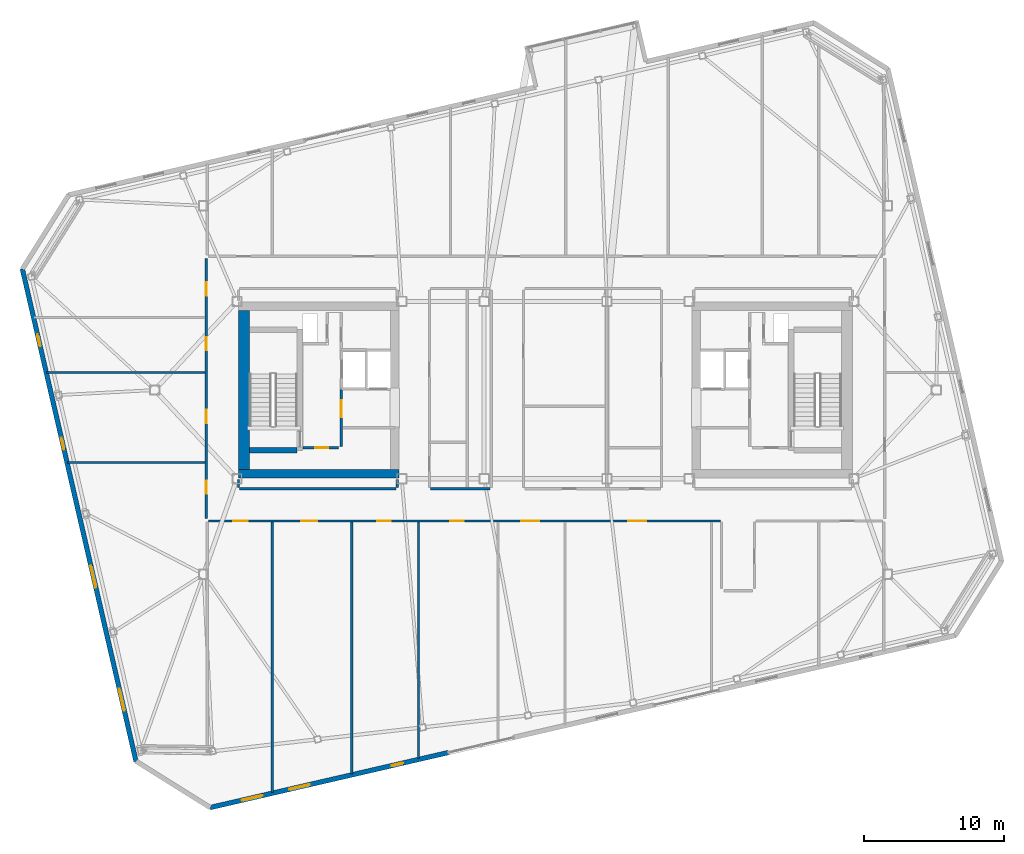
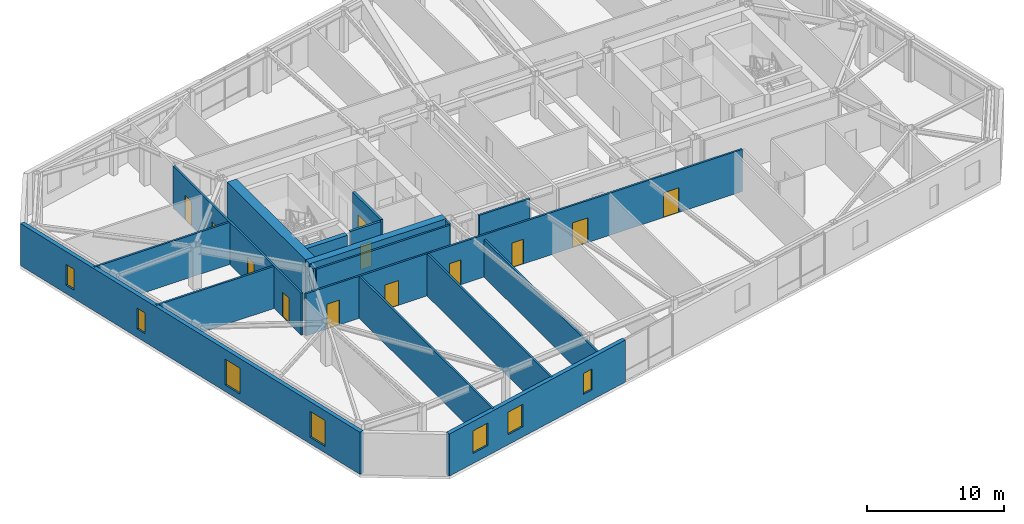
# One storey, part 17 of 24: 18 walls, 12 doors, 7 windows, 19 openings.
"""IFC4 building model written with IfcOpenShell, lengths in metres."""

from ifc_helpers import new_model, si_unit, direction, frame, frame_2d, origin, place, context, subcontext, project, spatial, rectangle, extrude, material, layer, layer_set, type_object, element, fill, save


model = new_model("IFC4")

# Units and contexts
model_context = context("Model", 3, precision=1e-05, world=origin(), true_north=direction((0.0, 1.0)))
body_context = subcontext(model_context, "Body", "Model", "MODEL_VIEW")
ifc_project = project(units=[si_unit("LENGTHUNIT", "METRE"), si_unit("AREAUNIT", "SQUARE_METRE"), si_unit("VOLUMEUNIT", "CUBIC_METRE"), si_unit("PLANEANGLEUNIT", "RADIAN"), si_unit("MASSUNIT", "GRAM", prefix="KILO")], contexts=[model_context])

# Site, building, storey
site_placement = place(None, origin())
site = spatial("IfcSite", under=ifc_project, at=site_placement, CompositionType="ELEMENT")
building_placement = place(site_placement, origin())
building = spatial("IfcBuilding", under=site, at=building_placement, Name="Tavrogorsk Clinical Tower", CompositionType="ELEMENT")
storey_placement = place(building_placement, frame((0.0, 0.0, 309.0)))
storey = spatial("IfcBuildingStorey", under=building, at=storey_placement, Name="L72", CompositionType="ELEMENT", Elevation=309.0)

# Wall, opening, door
ifc_material_1 = material(Name="Concrete B60", Category="concrete")
ifc_layer_1 = layer(ifc_material_1, 0.199951171875)
ifc_layer_set_1 = layer_set([ifc_layer_1], Name="Concrete B60")
wall_type_1 = type_object("IfcWallType", Name="CoreFireWall_200", PredefinedType="SOLIDWALL", material=ifc_layer_set_1)
wall_1_placement = place(storey_placement, frame((-17.3798828125, -4.139892578125, 0.0), z_axis=(0.0, 0.0, 1.0), x_axis=(1.0, 0.0, 0.0)))
wall_1 = element("IfcWall", 1, at=wall_1_placement, inside=storey, type_object=wall_type_1, Name="L72 Core West South Core Room Fire Wall", PredefinedType="SOLIDWALL", context=body_context, shape_type="SweptSolid", body=[
    extrude(rectangle(XDim=2.554931640625, YDim=0.199951171875, at=frame_2d((1.27734375, 0.0))), origin(), (0.0, 0.0, 1.0), 3.739990234375),
])
opening_1_placement = place(wall_1_placement, frame((0.8798828125, 0.0, 0.0)))
opening_1 = element("IfcOpeningElement", 2, at=opening_1_placement, cuts=wall_1, Name="Opening ID-02", PredefinedType="OPENING", context=body_context, shape_type="SweptSolid", body=[
    extrude(rectangle(XDim=0.949951171875, YDim=2.199951171875, at=frame_2d((0.47509765625, 1.10009765625))), frame((0.0, 0.10986328125, 0.0), z_axis=(0.0, -1.0, 0.0), x_axis=(1.0, 0.0, 0.0)), (0.0, 0.0, 1.0), 0.219970703125),
])
ifc_material_2 = material(Name="Laminated timber leaf on aluminium frame", Category="wood")
door_type_1 = type_object("IfcDoorType", Name="InteriorDoor_ID02_950", OperationType="NOTDEFINED", PredefinedType="DOOR", material=ifc_material_2)
door_1_placement = place(opening_1_placement, origin())
door_1 = element("IfcDoor", 3, at=door_1_placement, inside=storey, type_object=door_type_1, Name="L72 Core West South Core Room Door", OperationType="SINGLE_SWING_RIGHT", OverallHeight=2.199951171875, OverallWidth=0.949951171875, PredefinedType="DOOR", context=body_context, shape_type="SweptSolid", body=[
    extrude(rectangle(XDim=0.949951171875, YDim=2.199951171875, at=frame_2d((0.47509765625, 1.10009765625))), frame((0.0, 0.02490234375, 0.0), z_axis=(0.0, -1.0, 0.0), x_axis=(1.0, 0.0, 0.0)), (0.0, 0.0, 1.0), 0.050048828125),
])
fill(opening_1, door_1)

wall_2_placement = place(storey_placement, frame((-14.639892578125, -4.034912109375, 0.0), z_axis=(0.0, 0.0, 1.0), x_axis=(0.0, 1.0, 0.0)))
wall_2 = element("IfcWall", 4, at=wall_2_placement, inside=storey, type_object=wall_type_1, Name="L72 Core West Firefighting Lobby Fire Wall", PredefinedType="SOLIDWALL", context=body_context, shape_type="SweptSolid", body=[
    extrude(rectangle(XDim=4.074951171875, YDim=0.199951171875, at=frame_2d((2.03759765625, 0.0))), origin(), (0.0, 0.0, 1.0), 3.739990234375),
])
opening_2_placement = place(wall_2_placement, frame((2.090087890625, 0.0, 0.0)))
opening_2 = element("IfcOpeningElement", 5, at=opening_2_placement, cuts=wall_2, Name="Opening FD-01", PredefinedType="OPENING", context=body_context, shape_type="SweptSolid", body=[
    extrude(rectangle(XDim=1.199951171875, YDim=2.199951171875, at=frame_2d((0.60009765625, 1.10009765625))), frame((0.0, 0.10986328125, 0.0), z_axis=(0.0, -1.0, 0.0), x_axis=(1.0, 0.0, 0.0)), (0.0, 0.0, 1.0), 0.219970703125),
])
ifc_material_3 = material(Name="Galvanised steel fire-rated door assembly", Category="steel")
door_type_2 = type_object("IfcDoorType", Name="FireDoor_FD01_1200", OperationType="NOTDEFINED", PredefinedType="DOOR", material=ifc_material_3)
door_2_placement = place(opening_2_placement, origin())
door_2 = element("IfcDoor", 6, at=door_2_placement, inside=storey, type_object=door_type_2, Name="L72 Core West Firefighting Lobby Entry Door", OperationType="SINGLE_SWING_RIGHT", OverallHeight=2.199951171875, OverallWidth=1.199951171875, PredefinedType="DOOR", context=body_context, shape_type="SweptSolid", body=[
    extrude(rectangle(XDim=1.199951171875, YDim=2.199951171875, at=frame_2d((0.60009765625, 1.10009765625))), frame((0.0, 0.02490234375, 0.0), z_axis=(0.0, -1.0, 0.0), x_axis=(1.0, 0.0, 0.0)), (0.0, 0.0, 1.0), 0.050048828125),
])
fill(opening_2, door_2)

# Wall, openings, doors
ifc_material_4 = material(Name="Lightweight concrete blockwork B15", Category="masonry")
ifc_layer_2 = layer(ifc_material_4, 0.159912109375)
ifc_layer_set_2 = layer_set([ifc_layer_2], Name="Lightweight concrete blockwork B15")
wall_type_2 = type_object("IfcWallType", Name="PartitionWall_160", PredefinedType="PARTITIONING", material=ifc_layer_set_2)
wall_3_placement = place(storey_placement, frame((-24.31005859375, -9.215087890625, 0.0), z_axis=(0.0, 0.0, 1.0), x_axis=(0.0, 1.0, 0.0)))
wall_3 = element("IfcWall", 7, at=wall_3_placement, inside=storey, type_object=wall_type_2, Name="L72 Corridor Partition 01", PredefinedType="PARTITIONING", context=body_context, shape_type="SweptSolid", body=[
    extrude(rectangle(XDim=18.630126953125, YDim=0.159912109375, at=frame_2d((9.31494140625, 0.0))), origin(), (0.0, 0.0, 1.0), 3.739990234375),
])
opening_3_placement = place(wall_3_placement, frame((1.76904296875, 0.0, 0.0)))
opening_3 = element("IfcOpeningElement", 8, at=opening_3_placement, cuts=wall_3, Name="Opening ID-02", PredefinedType="OPENING", context=body_context, shape_type="SweptSolid", body=[
    extrude(rectangle(XDim=0.949951171875, YDim=2.199951171875, at=frame_2d((0.47509765625, 1.10009765625))), frame((0.0, 0.08984375, 0.0), z_axis=(0.0, -1.0, 0.0), x_axis=(1.0, 0.0, 0.0)), (0.0, 0.0, 1.0), 0.179931640625),
])
opening_4_placement = place(wall_3_placement, frame((6.85009765625, 0.0, 0.0)))
opening_4 = element("IfcOpeningElement", 9, at=opening_4_placement, cuts=wall_3, Name="Opening ID-02", PredefinedType="OPENING", context=body_context, shape_type="SweptSolid", body=[
    extrude(rectangle(XDim=0.949951171875, YDim=2.199951171875, at=frame_2d((0.47509765625, 1.10009765625))), frame((0.0, 0.08984375, 0.0), z_axis=(0.0, -1.0, 0.0), x_axis=(1.0, 0.0, 0.0)), (0.0, 0.0, 1.0), 0.179931640625),
])
opening_5_placement = place(wall_3_placement, frame((12.050048828125, 0.0, 0.0)))
opening_5 = element("IfcOpeningElement", 10, at=opening_5_placement, cuts=wall_3, Name="Opening ID-02", PredefinedType="OPENING", context=body_context, shape_type="SweptSolid", body=[
    extrude(rectangle(XDim=0.949951171875, YDim=2.199951171875, at=frame_2d((0.47509765625, 1.10009765625))), frame((0.0, 0.08984375, 0.0), z_axis=(0.0, -1.0, 0.0), x_axis=(1.0, 0.0, 0.0)), (0.0, 0.0, 1.0), 0.179931640625),
])
opening_6_placement = place(wall_3_placement, frame((15.98095703125, 0.0, 0.0)))
opening_6 = element("IfcOpeningElement", 11, at=opening_6_placement, cuts=wall_3, Name="Opening ID-02", PredefinedType="OPENING", context=body_context, shape_type="SweptSolid", body=[
    extrude(rectangle(XDim=0.949951171875, YDim=2.199951171875, at=frame_2d((0.47509765625, 1.10009765625))), frame((0.0, 0.08984375, 0.0), z_axis=(0.0, -1.0, 0.0), x_axis=(1.0, 0.0, 0.0)), (0.0, 0.0, 1.0), 0.179931640625),
])
door_3_placement = place(opening_3_placement, origin())
door_3 = element("IfcDoor", 12, at=door_3_placement, inside=storey, type_object=door_type_1, Name="L72 W Solarium Day Room & Lounge 1 Door", OperationType="SINGLE_SWING_RIGHT", OverallHeight=2.199951171875, OverallWidth=0.949951171875, PredefinedType="DOOR", context=body_context, shape_type="SweptSolid", body=[
    extrude(rectangle(XDim=0.949951171875, YDim=2.199951171875, at=frame_2d((0.47509765625, 1.10009765625))), frame((0.0, 0.02490234375, 0.0), z_axis=(0.0, -1.0, 0.0), x_axis=(1.0, 0.0, 0.0)), (0.0, 0.0, 1.0), 0.050048828125),
])
fill(opening_3, door_3)
door_4_placement = place(opening_4_placement, origin())
door_4 = element("IfcDoor", 13, at=door_4_placement, inside=storey, type_object=door_type_1, Name="L72 W Rehabilitation Therapy Suite 2 Door", OperationType="SINGLE_SWING_LEFT", OverallHeight=2.199951171875, OverallWidth=0.949951171875, PredefinedType="DOOR", context=body_context, shape_type="SweptSolid", body=[
    extrude(rectangle(XDim=0.949951171875, YDim=2.199951171875, at=frame_2d((0.47509765625, 1.10009765625))), frame((0.0, 0.02490234375, 0.0), z_axis=(0.0, -1.0, 0.0), x_axis=(1.0, 0.0, 0.0)), (0.0, 0.0, 1.0), 0.050048828125),
])
fill(opening_4, door_4)
door_5_placement = place(opening_5_placement, origin())
door_5 = element("IfcDoor", 14, at=door_5_placement, inside=storey, type_object=door_type_1, Name="L72 W Sub-Acute Observation Suite 3 Door", OperationType="SINGLE_SWING_RIGHT", OverallHeight=2.199951171875, OverallWidth=0.949951171875, PredefinedType="DOOR", context=body_context, shape_type="SweptSolid", body=[
    extrude(rectangle(XDim=0.949951171875, YDim=2.199951171875, at=frame_2d((0.47509765625, 1.10009765625))), frame((0.0, 0.02490234375, 0.0), z_axis=(0.0, -1.0, 0.0), x_axis=(1.0, 0.0, 0.0)), (0.0, 0.0, 1.0), 0.050048828125),
])
fill(opening_5, door_5)
door_6_placement = place(opening_6_placement, origin())
door_6 = element("IfcDoor", 15, at=door_6_placement, inside=storey, type_object=door_type_1, Name="L72 W Family Consultation Lounge 4 Door", OperationType="SINGLE_SWING_LEFT", OverallHeight=2.199951171875, OverallWidth=0.949951171875, PredefinedType="DOOR", context=body_context, shape_type="SweptSolid", body=[
    extrude(rectangle(XDim=0.949951171875, YDim=2.199951171875, at=frame_2d((0.47509765625, 1.10009765625))), frame((0.0, 0.02490234375, 0.0), z_axis=(0.0, -1.0, 0.0), x_axis=(1.0, 0.0, 0.0)), (0.0, 0.0, 1.0), 0.050048828125),
])
fill(opening_6, door_6)

wall_4_placement = place(storey_placement, frame((12.534912109375, -9.3798828125, 0.0), z_axis=(0.0, 0.0, 1.0), x_axis=(-1.0, 0.0, 0.0)))
wall_4 = element("IfcWall", 16, at=wall_4_placement, inside=storey, type_object=wall_type_2, Name="L72 Corridor Partition 08", PredefinedType="PARTITIONING", context=body_context, shape_type="SweptSolid", body=[
    extrude(rectangle(XDim=36.679931640625, YDim=0.159912109375, at=frame_2d((18.33984375, 0.0))), origin(), (0.0, 0.0, 1.0), 3.739990234375),
])
opening_7_placement = place(wall_4_placement, frame((33.85595703125, 0.0, 0.0)))
opening_7 = element("IfcOpeningElement", 17, at=opening_7_placement, cuts=wall_4, Name="Opening ID-04", PredefinedType="OPENING", context=body_context, shape_type="SweptSolid", body=[
    extrude(rectangle(XDim=1.050048828125, YDim=2.199951171875, at=frame_2d((0.52490234375, 1.10009765625))), frame((0.0, 0.08984375, 0.0), z_axis=(0.0, -1.0, 0.0), x_axis=(1.0, 0.0, 0.0)), (0.0, 0.0, 1.0), 0.179931640625),
])
opening_8_placement = place(wall_4_placement, frame((28.8798828125, 0.0, 0.0)))
opening_8 = element("IfcOpeningElement", 18, at=opening_8_placement, cuts=wall_4, Name="Opening ID-06", PredefinedType="OPENING", context=body_context, shape_type="SweptSolid", body=[
    extrude(rectangle(XDim=1.14990234375, YDim=2.199951171875, at=frame_2d((0.574951171875, 1.10009765625))), frame((0.0, 0.08984375, 0.0), z_axis=(0.0, -1.0, 0.0), x_axis=(1.0, 0.0, 0.0)), (0.0, 0.0, 1.0), 0.179931640625),
])
opening_9_placement = place(wall_4_placement, frame((23.639892578125, 0.0, 0.0)))
opening_9 = element("IfcOpeningElement", 19, at=opening_9_placement, cuts=wall_4, Name="Opening ID-02", PredefinedType="OPENING", context=body_context, shape_type="SweptSolid", body=[
    extrude(rectangle(XDim=0.949951171875, YDim=2.199951171875, at=frame_2d((0.47509765625, 1.10009765625))), frame((0.0, 0.08984375, 0.0), z_axis=(0.0, -1.0, 0.0), x_axis=(1.0, 0.0, 0.0)), (0.0, 0.0, 1.0), 0.179931640625),
])
opening_10_placement = place(wall_4_placement, frame((18.39501953125, 0.0, 0.0)))
opening_10 = element("IfcOpeningElement", 20, at=opening_10_placement, cuts=wall_4, Name="Opening ID-02", PredefinedType="OPENING", context=body_context, shape_type="SweptSolid", body=[
    extrude(rectangle(XDim=0.949951171875, YDim=2.199951171875, at=frame_2d((0.47509765625, 1.10009765625))), frame((0.0, 0.08984375, 0.0), z_axis=(0.0, -1.0, 0.0), x_axis=(1.0, 0.0, 0.0)), (0.0, 0.0, 1.0), 0.179931640625),
])
opening_11_placement = place(wall_4_placement, frame((12.969970703125, 0.0, 0.0)))
opening_11 = element("IfcOpeningElement", 21, at=opening_11_placement, cuts=wall_4, Name="Opening ID-01", PredefinedType="OPENING", context=body_context, shape_type="SweptSolid", body=[
    extrude(rectangle(XDim=1.300048828125, YDim=2.199951171875, at=frame_2d((0.64990234375, 1.10009765625))), frame((0.0, 0.08984375, 0.0), z_axis=(0.0, -1.0, 0.0), x_axis=(1.0, 0.0, 0.0)), (0.0, 0.0, 1.0), 0.179931640625),
])
opening_12_placement = place(wall_4_placement, frame((5.320068359375, 0.0, 0.0)))
opening_12 = element("IfcOpeningElement", 22, at=opening_12_placement, cuts=wall_4, Name="Opening ID-01", PredefinedType="OPENING", context=body_context, shape_type="SweptSolid", body=[
    extrude(rectangle(XDim=1.300048828125, YDim=2.199951171875, at=frame_2d((0.64990234375, 1.10009765625))), frame((0.0, 0.08984375, 0.0), z_axis=(0.0, -1.0, 0.0), x_axis=(1.0, 0.0, 0.0)), (0.0, 0.0, 1.0), 0.179931640625),
])
ifc_material_5 = material(Name="Antibacterial HPL consultation door on aluminium frame", Category="aluminium")
door_type_3 = type_object("IfcDoorType", Name="ConsultDoor_ID04_1050", OperationType="NOTDEFINED", PredefinedType="DOOR", material=ifc_material_5)
door_7_placement = place(opening_7_placement, origin())
door_7 = element("IfcDoor", 23, at=door_7_placement, inside=storey, type_object=door_type_3, Name="L72 South Outpatient Procedure Suite 01 Door", OperationType="SINGLE_SWING_RIGHT", OverallHeight=2.199951171875, OverallWidth=1.050048828125, PredefinedType="DOOR", context=body_context, shape_type="SweptSolid", body=[
    extrude(rectangle(XDim=1.050048828125, YDim=2.199951171875, at=frame_2d((0.52490234375, 1.10009765625))), frame((0.0, 0.02490234375, 0.0), z_axis=(0.0, -1.0, 0.0), x_axis=(1.0, 0.0, 0.0)), (0.0, 0.0, 1.0), 0.050048828125),
])
fill(opening_7, door_7)
door_8_placement = place(opening_9_placement, origin())
door_8 = element("IfcDoor", 24, at=door_8_placement, inside=storey, type_object=door_type_1, Name="L72 South Staff Rest & Nourishment Lounge 02B Door", OperationType="SINGLE_SWING_RIGHT", OverallHeight=2.199951171875, OverallWidth=0.949951171875, PredefinedType="DOOR", context=body_context, shape_type="SweptSolid", body=[
    extrude(rectangle(XDim=0.949951171875, YDim=2.199951171875, at=frame_2d((0.47509765625, 1.10009765625))), frame((0.0, 0.02490234375, 0.0), z_axis=(0.0, -1.0, 0.0), x_axis=(1.0, 0.0, 0.0)), (0.0, 0.0, 1.0), 0.050048828125),
])
fill(opening_9, door_8)
door_9_placement = place(opening_10_placement, origin())
door_9 = element("IfcDoor", 25, at=door_9_placement, inside=storey, type_object=door_type_1, Name="L72 South Attending Physician Office 03A Door", OperationType="SINGLE_SWING_LEFT", OverallHeight=2.199951171875, OverallWidth=0.949951171875, PredefinedType="DOOR", context=body_context, shape_type="SweptSolid", body=[
    extrude(rectangle(XDim=0.949951171875, YDim=2.199951171875, at=frame_2d((0.47509765625, 1.10009765625))), frame((0.0, 0.02490234375, 0.0), z_axis=(0.0, -1.0, 0.0), x_axis=(1.0, 0.0, 0.0)), (0.0, 0.0, 1.0), 0.050048828125),
])
fill(opening_10, door_9)
ifc_material_6 = material(Name="Antibacterial HPL procedure door on aluminium frame", Category="aluminium")
door_type_4 = type_object("IfcDoorType", Name="LabDoor_ID06_1150", OperationType="NOTDEFINED", PredefinedType="DOOR", material=ifc_material_6)
door_10_placement = place(opening_8_placement, origin())
door_10 = element("IfcDoor", 26, at=door_10_placement, inside=storey, type_object=door_type_4, Name="L72 South Cardiology Diagnostics Room 02A Door", OperationType="SINGLE_SWING_LEFT", OverallHeight=2.199951171875, OverallWidth=1.14990234375, PredefinedType="DOOR", context=body_context, shape_type="SweptSolid", body=[
    extrude(rectangle(XDim=1.14990234375, YDim=2.199951171875, at=frame_2d((0.574951171875, 1.10009765625))), frame((0.0, 0.02490234375, 0.0), z_axis=(0.0, -1.0, 0.0), x_axis=(1.0, 0.0, 0.0)), (0.0, 0.0, 1.0), 0.050048828125),
])
fill(opening_8, door_10)
ifc_material_7 = material(Name="Antibacterial HPL medical leaf on aluminium frame", Category="aluminium")
door_type_5 = type_object("IfcDoorType", Name="WardBedDoor_ID01_1300", OperationType="NOTDEFINED", PredefinedType="DOOR", material=ifc_material_7)
door_11_placement = place(opening_11_placement, origin())
door_11 = element("IfcDoor", 27, at=door_11_placement, inside=storey, type_object=door_type_5, Name="L72 South Bariatric Observation Ward 03B Door", OperationType="SINGLE_SWING_RIGHT", OverallHeight=2.199951171875, OverallWidth=1.300048828125, PredefinedType="DOOR", context=body_context, shape_type="SweptSolid", body=[
    extrude(rectangle(XDim=1.300048828125, YDim=2.199951171875, at=frame_2d((0.64990234375, 1.10009765625))), frame((0.0, 0.02490234375, 0.0), z_axis=(0.0, -1.0, 0.0), x_axis=(1.0, 0.0, 0.0)), (0.0, 0.0, 1.0), 0.050048828125),
])
fill(opening_11, door_11)
door_12_placement = place(opening_12_placement, origin())
door_12 = element("IfcDoor", 28, at=door_12_placement, inside=storey, type_object=door_type_5, Name="L72 South Acute Medical Ward 04 Door", OperationType="SINGLE_SWING_LEFT", OverallHeight=2.199951171875, OverallWidth=1.300048828125, PredefinedType="DOOR", context=body_context, shape_type="SweptSolid", body=[
    extrude(rectangle(XDim=1.300048828125, YDim=2.199951171875, at=frame_2d((0.64990234375, 1.10009765625))), frame((0.0, 0.02490234375, 0.0), z_axis=(0.0, -1.0, 0.0), x_axis=(1.0, 0.0, 0.0)), (0.0, 0.0, 1.0), 0.050048828125),
])
fill(opening_12, door_12)

# Walls
wall_5_placement = place(storey_placement, frame((-8.235107421875, -7.070068359375, 0.0), z_axis=(0.0, 0.0, 1.0), x_axis=(1.0, 0.0, 0.0)))
element("IfcWall", 29, at=wall_5_placement, inside=storey, type_object=wall_type_2, Name="L72 Corridor Partition 22", PredefinedType="PARTITIONING", context=body_context, shape_type="SweptSolid", body=[
    extrude(rectangle(XDim=4.27001953125, YDim=0.159912109375, at=frame_2d((2.135009765625, 0.0))), origin(), (0.0, 0.0, 1.0), 3.739990234375),
])
for number, where, z_axis, x_axis, name in (
    (30, (-10.6298828125, -6.985107421875, 0.0), (0.0, 0.0, 1.0), (0.0, 1.0, 0.0), "L72 Corridor Partition 23"),
    (31, (-22.0, -6.419921875, 0.0), (0.0, 0.0, 1.0), (0.0, -1.0, 0.0), "L72 Corridor Partition 27"),
):
    element("IfcWall", number, at=place(storey_placement, frame(where, z_axis=z_axis, x_axis=x_axis)), inside=storey, type_object=wall_type_2, Name=name, PredefinedType="PARTITIONING", context=body_context, shape_type="SweptSolid", body=[
        extrude(rectangle(XDim=0.565185546875, YDim=0.159912109375, at=frame_2d((0.28271484375, 0.0))), origin(), (0.0, 0.0, 1.0), 3.739990234375),
    ])
wall_6_placement = place(storey_placement, frame((-21.9150390625, -7.070068359375, 0.0), z_axis=(0.0, 0.0, 1.0), x_axis=(1.0, 0.0, 0.0)))
element("IfcWall", 32, at=wall_6_placement, inside=storey, type_object=wall_type_2, Name="L72 Corridor Partition 28", PredefinedType="PARTITIONING", context=body_context, shape_type="SweptSolid", body=[
    extrude(rectangle(XDim=11.199951171875, YDim=0.159912109375, at=frame_2d((5.60009765625, 0.0))), origin(), (0.0, 0.0, 1.0), 3.739990234375),
])
wall_7_placement = place(storey_placement, frame((-19.580078125, -28.817138671875, 0.0), z_axis=(0.0, 0.0, 1.0), x_axis=(0.0, 1.0, 0.0)))
element("IfcWall", 33, at=wall_7_placement, inside=storey, type_object=wall_type_2, Name="L72 South Room Partition 1", PredefinedType="PARTITIONING", context=body_context, shape_type="SweptSolid", body=[
    extrude(rectangle(XDim=19.35205078125, YDim=0.159912109375, at=frame_2d((9.676025390625, 0.0))), origin(), (0.0, 0.0, 1.0), 3.739990234375),
])
wall_8_placement = place(storey_placement, frame((-9.10009765625, -26.397705078125, 0.0), z_axis=(0.0, 0.0, 1.0), x_axis=(0.0, 1.0, 0.0)))
element("IfcWall", 34, at=wall_8_placement, inside=storey, type_object=wall_type_2, Name="L72 South Room Partition 2", PredefinedType="PARTITIONING", context=body_context, shape_type="SweptSolid", body=[
    extrude(rectangle(XDim=16.9326171875, YDim=0.159912109375, at=frame_2d((8.46630859375, 0.0))), origin(), (0.0, 0.0, 1.0), 3.3349609375),
])
wall_9_placement = place(storey_placement, frame((-13.889892578125, -27.50341796875, 0.0), z_axis=(0.0, 0.0, 1.0), x_axis=(0.0, 1.0, 0.0)))
element("IfcWall", 35, at=wall_9_placement, inside=storey, type_object=wall_type_2, Name="L72 South Sub-Partition 2", PredefinedType="PARTITIONING", context=body_context, shape_type="SweptSolid", body=[
    extrude(rectangle(XDim=18.038330078125, YDim=0.159912109375, at=frame_2d((9.01904296875, 0.0))), origin(), (0.0, 0.0, 1.0), 3.739990234375),
])
wall_10_placement = place(storey_placement, frame((-34.26171875, -5.199951171875, 0.0), z_axis=(0.0, 0.0, 1.0), x_axis=(1.0, 0.0, 0.0)))
element("IfcWall", 36, at=wall_10_placement, inside=storey, type_object=wall_type_2, Name="L72 W Wing Divider 1", PredefinedType="PARTITIONING", context=body_context, shape_type="SweptSolid", body=[
    extrude(rectangle(XDim=9.86669921875, YDim=0.159912109375, at=frame_2d((4.933349609375, 0.0))), origin(), (0.0, 0.0, 1.0), 3.739990234375),
])
wall_11_placement = place(storey_placement, frame((-35.7509765625, 1.25, 0.0), z_axis=(0.0, 0.0, 1.0), x_axis=(1.0, 0.0, 0.0)))
element("IfcWall", 37, at=wall_11_placement, inside=storey, type_object=wall_type_2, Name="L72 W Wing Divider 2", PredefinedType="PARTITIONING", context=body_context, shape_type="SweptSolid", body=[
    extrude(rectangle(XDim=11.35595703125, YDim=0.159912109375, at=frame_2d((5.677978515625, 0.0))), origin(), (0.0, 0.0, 1.0), 3.739990234375),
])

# Wall, openings, windows
ifc_material_8 = material(Name="Precast concrete B45 with limestone cladding", Category="masonry")
ifc_layer_3 = layer(ifc_material_8, 0.340087890625)
ifc_layer_set_3 = layer_set([ifc_layer_3], Name="Precast concrete B45 with limestone cladding")
wall_type_3 = type_object("IfcWallType", Name="PrecastLimestoneWall_340", PredefinedType="STANDARD", material=ifc_layer_set_3)
wall_12_placement = place(storey_placement, frame((-24.029541015625, -29.916259765625, 0.0), z_axis=(0.0, 0.0, 1.0), x_axis=(0.974370978061, 0.224947098473, 0.0)))
wall_12 = element("IfcWall", 38, at=wall_12_placement, inside=storey, type_object=wall_type_3, Name="L72 S Limestone Facade Wall 1", PredefinedType="STANDARD", context=body_context, shape_type="SweptSolid", body=[
    extrude(rectangle(XDim=17.50634765625, YDim=0.340087890625, at=frame_2d((8.753173828125, 0.0))), origin(), (0.0, 0.0, 1.0), 3.739990234375),
])
opening_13_placement = place(wall_12_placement, frame((2.35009765625, 0.0, 0.89990234375)))
opening_13 = element("IfcOpeningElement", 39, at=opening_13_placement, cuts=wall_12, Name="Opening WN-05", PredefinedType="OPENING", context=body_context, shape_type="SweptSolid", body=[
    extrude(rectangle(XDim=1.5, YDim=2.0, at=frame_2d((0.75, 1.0))), frame((0.0, 0.179931640625, 0.0), z_axis=(0.0, -1.0, 0.0), x_axis=(1.0, 0.0, 0.0)), (0.0, 0.0, 1.0), 0.360107421875),
])
opening_14_placement = place(wall_12_placement, frame((5.81689453125, 0.0, 0.89990234375)))
opening_14 = element("IfcOpeningElement", 40, at=opening_14_placement, cuts=wall_12, Name="Opening WN-05", PredefinedType="OPENING", context=body_context, shape_type="SweptSolid", body=[
    extrude(rectangle(XDim=1.5, YDim=2.0, at=frame_2d((0.75, 1.0))), frame((0.0, 0.179931640625, 0.0), z_axis=(0.0, -1.0, 0.0), x_axis=(1.0, 0.0, 0.0)), (0.0, 0.0, 1.0), 0.360107421875),
])
opening_15_placement = place(wall_12_placement, frame((13.353271484375, 0.0, 0.89990234375)))
opening_15 = element("IfcOpeningElement", 41, at=opening_15_placement, cuts=wall_12, Name="Opening WN-06", PredefinedType="OPENING", context=body_context, shape_type="SweptSolid", body=[
    extrude(rectangle(XDim=0.85009765625, YDim=1.85009765625, at=frame_2d((0.425048828125, 0.925048828125))), frame((0.0, 0.179931640625, 0.0), z_axis=(0.0, -1.0, 0.0), x_axis=(1.0, 0.0, 0.0)), (0.0, 0.0, 1.0), 0.360107421875),
])
ifc_material_9 = material(Name="Thermally broken aluminium frame and triple IGU", Category="aluminium")
window_type_1 = type_object("IfcWindowType", Name="ConsultWin_1500x2000", PartitioningType="SINGLE_PANEL", PredefinedType="WINDOW", material=ifc_material_9)
window_1_placement = place(opening_13_placement, origin())
window_1 = element("IfcWindow", 42, at=window_1_placement, inside=storey, type_object=window_type_1, Name="L72 S Chicago Window 01", OverallHeight=2.0, OverallWidth=1.5, PartitioningType="SINGLE_PANEL", PredefinedType="WINDOW", context=body_context, shape_type="SweptSolid", body=[
    extrude(rectangle(XDim=1.5, YDim=2.0, at=frame_2d((0.75, 1.0))), frame((0.0, 0.030029296875, 0.0), z_axis=(0.0, -1.0, 0.0), x_axis=(1.0, 0.0, 0.0)), (0.0, 0.0, 1.0), 0.06005859375),
])
fill(opening_13, window_1)
window_2_placement = place(opening_14_placement, origin())
window_2 = element("IfcWindow", 43, at=window_2_placement, inside=storey, type_object=window_type_1, Name="L72 S Chicago Window 02", OverallHeight=2.0, OverallWidth=1.5, PartitioningType="SINGLE_PANEL", PredefinedType="WINDOW", context=body_context, shape_type="SweptSolid", body=[
    extrude(rectangle(XDim=1.5, YDim=2.0, at=frame_2d((0.75, 1.0))), frame((0.0, 0.030029296875, 0.0), z_axis=(0.0, -1.0, 0.0), x_axis=(1.0, 0.0, 0.0)), (0.0, 0.0, 1.0), 0.06005859375),
])
fill(opening_14, window_2)
ifc_material_10 = material(Name="Thermally broken aluminium frame and triple IGU", Category="aluminium")
window_type_2 = type_object("IfcWindowType", Name="MullionSubWin_850x1850", PartitioningType="SINGLE_PANEL", PredefinedType="WINDOW", material=ifc_material_10)
window_3_placement = place(opening_15_placement, origin())
window_3 = element("IfcWindow", 44, at=window_3_placement, inside=storey, type_object=window_type_2, Name="L72 S Mullion Split Window 04A", OverallHeight=1.85009765625, OverallWidth=0.85009765625, PartitioningType="SINGLE_PANEL", PredefinedType="WINDOW", context=body_context, shape_type="SweptSolid", body=[
    extrude(rectangle(XDim=0.85009765625, YDim=1.85009765625, at=frame_2d((0.425048828125, 0.925048828125))), frame((0.0, 0.030029296875, 0.0), z_axis=(0.0, -1.0, 0.0), x_axis=(1.0, 0.0, 0.0)), (0.0, 0.0, 1.0), 0.06005859375),
])
fill(opening_15, window_3)

wall_13_placement = place(storey_placement, frame((-37.48583984375, 8.676025390625, 0.0), z_axis=(0.0, 0.0, 1.0), x_axis=(0.224953091034, -0.974369594576, 0.0)))
wall_13 = element("IfcWall", 45, at=wall_13_placement, inside=storey, type_object=wall_type_3, Name="L72 W Pleated Limestone Wing Wall", PredefinedType="STANDARD", context=body_context, shape_type="SweptSolid", body=[
    extrude(rectangle(XDim=36.199951171875, YDim=0.340087890625, at=frame_2d((18.10009765625, 0.0))), origin(), (0.0, 0.0, 1.0), 3.739990234375),
])
opening_16_placement = place(wall_13_placement, frame((4.824951171875, 0.0, 0.75)))
opening_16 = element("IfcOpeningElement", 46, at=opening_16_placement, cuts=wall_13, Name="Opening WN-06", PredefinedType="OPENING", context=body_context, shape_type="SweptSolid", body=[
    extrude(rectangle(XDim=0.85009765625, YDim=1.85009765625, at=frame_2d((0.425048828125, 0.925048828125))), frame((0.0, 0.179931640625, 0.0), z_axis=(0.0, -1.0, 0.0), x_axis=(1.0, 0.0, 0.0)), (0.0, 0.0, 1.0), 0.360107421875),
])
opening_17_placement = place(wall_13_placement, frame((12.425048828125, 0.0, 0.75)))
opening_17 = element("IfcOpeningElement", 47, at=opening_17_placement, cuts=wall_13, Name="Opening WN-06", PredefinedType="OPENING", context=body_context, shape_type="SweptSolid", body=[
    extrude(rectangle(XDim=0.85009765625, YDim=1.85009765625, at=frame_2d((0.425048828125, 0.925048828125))), frame((0.0, 0.179931640625, 0.0), z_axis=(0.0, -1.0, 0.0), x_axis=(1.0, 0.0, 0.0)), (0.0, 0.0, 1.0), 0.360107421875),
])
opening_18_placement = place(wall_13_placement, frame((21.824951171875, 0.0, 0.580078125)))
opening_18 = element("IfcOpeningElement", 48, at=opening_18_placement, cuts=wall_13, Name="Opening WN-07", PredefinedType="OPENING", context=body_context, shape_type="SweptSolid", body=[
    extrude(rectangle(XDim=1.60009765625, YDim=2.300048828125, at=frame_2d((0.800048828125, 1.14990234375))), frame((0.0, 0.179931640625, 0.0), z_axis=(0.0, -1.0, 0.0), x_axis=(1.0, 0.0, 0.0)), (0.0, 0.0, 1.0), 0.360107421875),
])
opening_19_placement = place(wall_13_placement, frame((30.875, 0.0, 0.580078125)))
opening_19 = element("IfcOpeningElement", 49, at=opening_19_placement, cuts=wall_13, Name="Opening WN-07", PredefinedType="OPENING", context=body_context, shape_type="SweptSolid", body=[
    extrude(rectangle(XDim=1.60009765625, YDim=2.300048828125, at=frame_2d((0.800048828125, 1.14990234375))), frame((0.0, 0.179931640625, 0.0), z_axis=(0.0, -1.0, 0.0), x_axis=(1.0, 0.0, 0.0)), (0.0, 0.0, 1.0), 0.360107421875),
])
window_4_placement = place(opening_16_placement, origin())
window_4 = element("IfcWindow", 50, at=window_4_placement, inside=storey, type_object=window_type_2, Name="L72 W Pleat Mullion Window 1B", OverallHeight=1.85009765625, OverallWidth=0.85009765625, PartitioningType="SINGLE_PANEL", PredefinedType="WINDOW", context=body_context, shape_type="SweptSolid", body=[
    extrude(rectangle(XDim=0.85009765625, YDim=1.85009765625, at=frame_2d((0.425048828125, 0.925048828125))), frame((0.0, 0.030029296875, 0.0), z_axis=(0.0, -1.0, 0.0), x_axis=(1.0, 0.0, 0.0)), (0.0, 0.0, 1.0), 0.06005859375),
])
fill(opening_16, window_4)
window_5_placement = place(opening_17_placement, origin())
window_5 = element("IfcWindow", 51, at=window_5_placement, inside=storey, type_object=window_type_2, Name="L72 W Pleat Mullion Window 2A", OverallHeight=1.85009765625, OverallWidth=0.85009765625, PartitioningType="SINGLE_PANEL", PredefinedType="WINDOW", context=body_context, shape_type="SweptSolid", body=[
    extrude(rectangle(XDim=0.85009765625, YDim=1.85009765625, at=frame_2d((0.425048828125, 0.925048828125))), frame((0.0, 0.030029296875, 0.0), z_axis=(0.0, -1.0, 0.0), x_axis=(1.0, 0.0, 0.0)), (0.0, 0.0, 1.0), 0.06005859375),
])
fill(opening_17, window_5)
ifc_material_11 = material(Name="Thermally broken aluminium frame and triple IGU", Category="aluminium")
window_type_3 = type_object("IfcWindowType", Name="PleatSlotWin_1600x2300", PartitioningType="SINGLE_PANEL", PredefinedType="WINDOW", material=ifc_material_11)
window_6_placement = place(opening_18_placement, origin())
window_6 = element("IfcWindow", 52, at=window_6_placement, inside=storey, type_object=window_type_3, Name="L72 W Pleat Slot Window 3", OverallHeight=2.300048828125, OverallWidth=1.60009765625, PartitioningType="SINGLE_PANEL", PredefinedType="WINDOW", context=body_context, shape_type="SweptSolid", body=[
    extrude(rectangle(XDim=1.60009765625, YDim=2.300048828125, at=frame_2d((0.800048828125, 1.14990234375))), frame((0.0, 0.030029296875, 0.0), z_axis=(0.0, -1.0, 0.0), x_axis=(1.0, 0.0, 0.0)), (0.0, 0.0, 1.0), 0.06005859375),
])
fill(opening_18, window_6)
window_7_placement = place(opening_19_placement, origin())
window_7 = element("IfcWindow", 53, at=window_7_placement, inside=storey, type_object=window_type_3, Name="L72 W Pleat Slot Window 4", OverallHeight=2.300048828125, OverallWidth=1.60009765625, PartitioningType="SINGLE_PANEL", PredefinedType="WINDOW", context=body_context, shape_type="SweptSolid", body=[
    extrude(rectangle(XDim=1.60009765625, YDim=2.300048828125, at=frame_2d((0.800048828125, 1.14990234375))), frame((0.0, 0.030029296875, 0.0), z_axis=(0.0, -1.0, 0.0), x_axis=(1.0, 0.0, 0.0)), (0.0, 0.0, 1.0), 0.06005859375),
])
fill(opening_19, window_7)

# Walls
ifc_material_12 = material(Name="Concrete B80", Category="concrete")
ifc_layer_4 = layer(ifc_material_12, 0.39990234375)
ifc_layer_set_4 = layer_set([ifc_layer_4], Name="Concrete B80")
wall_type_4 = type_object("IfcWallType", Name="ShearWall_400", PredefinedType="SHEAR", material=ifc_layer_set_4)
wall_14_placement = place(storey_placement, frame((-21.199951171875, -4.324951171875, 0.0), z_axis=(0.0, 0.0, 1.0), x_axis=(1.0, 0.0, 0.0)))
element("IfcWall", 54, at=wall_14_placement, inside=storey, type_object=wall_type_4, Name="L72 Core West Stair Shaft South Shear Wall", PredefinedType="SHEAR", context=body_context, shape_type="SweptSolid", body=[
    extrude(rectangle(XDim=3.39990234375, YDim=0.39990234375, at=frame_2d((1.699951171875, 0.0))), origin(), (0.0, 0.0, 1.0), 3.739990234375),
])
ifc_material_13 = material(Name="Concrete B80", Category="concrete")
ifc_layer_5 = layer(ifc_material_13, 0.60009765625)
ifc_layer_set_5 = layer_set([ifc_layer_5], Name="Concrete B80")
wall_type_5 = type_object("IfcWallType", Name="ShearWall_600", PredefinedType="SHEAR", material=ifc_layer_set_5)
wall_15_placement = place(storey_placement, frame((-22.0, -6.0, 0.0), z_axis=(0.0, 0.0, 1.0), x_axis=(1.0, 0.0, 0.0)))
element("IfcWall", 55, at=wall_15_placement, inside=storey, type_object=wall_type_5, Name="L72 Core West South Shear Wall", PredefinedType="SHEAR", context=body_context, shape_type="SweptSolid", body=[
    extrude(rectangle(XDim=11.5, YDim=0.60009765625, at=frame_2d((5.75, 0.0))), origin(), (0.0, 0.0, 1.0), 3.739990234375),
])
ifc_material_14 = material(Name="Concrete B80", Category="concrete")
ifc_layer_6 = layer(ifc_material_14, 0.800048828125)
ifc_layer_set_6 = layer_set([ifc_layer_6], Name="Concrete B80")
wall_type_6 = type_object("IfcWallType", Name="ShearWall_800", PredefinedType="SHEAR", material=ifc_layer_set_6)
wall_16_placement = place(storey_placement, frame((-21.60009765625, -5.699951171875, 0.0), z_axis=(0.0, 0.0, 1.0), x_axis=(0.0, 1.0, 0.0)))
element("IfcWall", 56, at=wall_16_placement, inside=storey, type_object=wall_type_6, Name="L72 Core West End Shear Wall", PredefinedType="SHEAR", context=body_context, shape_type="SweptSolid", body=[
    extrude(rectangle(XDim=11.39990234375, YDim=0.800048828125, at=frame_2d((5.699951171875, 0.0))), origin(), (0.0, 0.0, 1.0), 3.739990234375),
])

save(model, "model.ifc")
